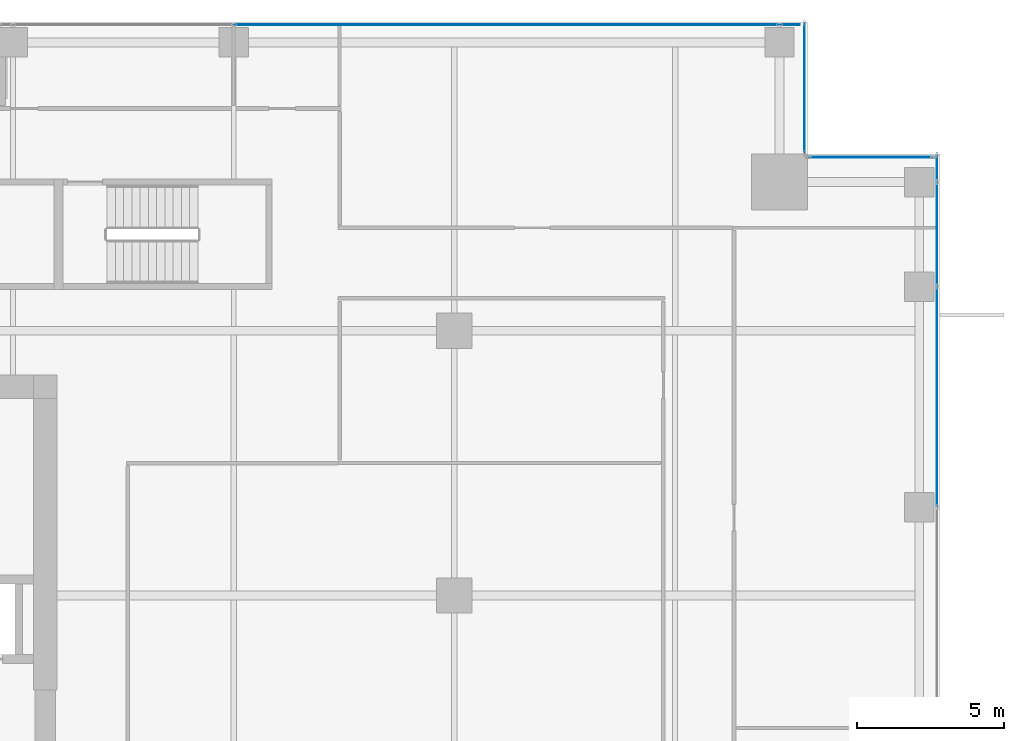
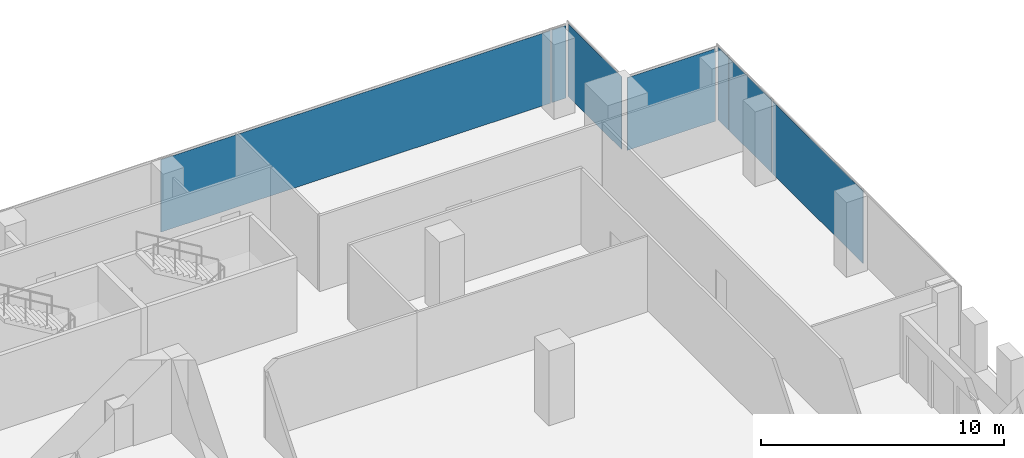
# One storey, part 33 of 40: 7 plates, 4 elements without a shape of their own.
"""IFC4 building model written with IfcOpenShell, lengths in metres."""

from ifc_helpers import new_model, si_unit, direction, frame, origin, origin_2d, place, context, subcontext, project, spatial, rectangle, extrude, source, transform, mapped, material, layer, layer_set, type_object, element, aggregate, save


model = new_model("IFC4")

# Units and contexts
model_context = context("Model", 3, precision=1e-05, world=origin(), true_north=direction((0.0, 1.0)))
body_context = subcontext(model_context, "Body", "Model", "MODEL_VIEW")
ifc_project = project(units=[si_unit("LENGTHUNIT", "METRE"), si_unit("AREAUNIT", "SQUARE_METRE"), si_unit("VOLUMEUNIT", "CUBIC_METRE"), si_unit("PLANEANGLEUNIT", "RADIAN"), si_unit("MASSUNIT", "GRAM", prefix="KILO")], contexts=[model_context])

# Site, building, storey
site_placement = place(None, origin())
site = spatial("IfcSite", under=ifc_project, at=site_placement, CompositionType="ELEMENT")
building_placement = place(site_placement, origin())
building = spatial("IfcBuilding", under=site, at=building_placement, Name="Khomas Fold Tower", CompositionType="ELEMENT")
storey_placement = place(building_placement, frame((0.0, 0.0, 204.699951171875)))
storey = spatial("IfcBuildingStorey", under=building, at=storey_placement, Name="L45", CompositionType="ELEMENT", Elevation=204.699951171875)

# Curtain wall, plate
ifc_material_1 = material(Name="Aluminium framed double glazing", Category="aluminium")
curtain_wall_type = type_object("IfcCurtainWallType", Name="SK-Unitised clear-glass wall, office floors CW2", PredefinedType="NOTDEFINED", material=ifc_material_1)
curtain_wall_1_placement = place(storey_placement, origin())
curtain_wall_1 = element("IfcCurtainWall", 1, at=curtain_wall_1_placement, inside=storey, type_object=curtain_wall_type, Name="CW2 corner return L45 05", PredefinedType="NOTDEFINED")
ifc_material_2 = material(Name="Clear double glazed unit")
ifc_layer = layer(ifc_material_2, 0.030029296875)
ifc_layer_set = layer_set([ifc_layer], Name="Clear double glazed unit")
plate_type = type_object("IfcPlateType", Name="SK-Unitised clear-glass wall, office floors glass panel CW2-P", PredefinedType="CURTAIN_PANEL", material=ifc_layer_set)
shared_shape_1 = source(origin(), body_context, "Body", "SweptSolid", [
    extrude(rectangle(XDim=4.3798828125, YDim=0.030029296875, at=origin_2d()), origin(), (0.0, 0.0, 1.0), 3.639892578125),
])
plate_1_placement = place(storey_placement, frame((46.39990234375, 48.75, 0.0), z_axis=(0.0, 0.0, 1.0), x_axis=(0.0, 1.0, 0.0)))
plate_1 = element("IfcPlate", 2, at=plate_1_placement, type_object=plate_type, Name="CW2 glass panel 1", PredefinedType="CURTAIN_PANEL", context=body_context, shape_type="MappedRepresentation", body=[
    mapped(shared_shape_1, transform((0.0, 0.0, 0.0))),
])
aggregate(curtain_wall_1, [plate_1])

curtain_wall_2_placement = place(storey_placement, origin())
curtain_wall_2 = element("IfcCurtainWall", 3, at=curtain_wall_2_placement, inside=storey, type_object=curtain_wall_type, Name="CW2 run L45 06-0", PredefinedType="NOTDEFINED")
shared_shape_2 = source(origin(), body_context, "Body", "SweptSolid", [
    extrude(rectangle(XDim=0.659912109375, YDim=0.030029296875, at=origin_2d()), origin(), (0.0, 0.0, 1.0), 3.639892578125),
])
plate_2_placement = place(storey_placement, frame((45.909912109375, 50.89990234375, 0.0), z_axis=(0.0, 0.0, 1.0), x_axis=(-1.0, 0.0, 0.0)))
plate_2 = element("IfcPlate", 4, at=plate_2_placement, type_object=plate_type, Name="CW2 glass panel 1", PredefinedType="CURTAIN_PANEL", context=body_context, shape_type="MappedRepresentation", body=[
    mapped(shared_shape_2, transform((0.0, 0.0, 0.0))),
])

# Curtain wall, plates
curtain_wall_3_placement = place(storey_placement, origin())
curtain_wall_3 = element("IfcCurtainWall", 5, at=curtain_wall_3_placement, inside=storey, type_object=curtain_wall_type, Name="CW2 run L45 03-1", PredefinedType="NOTDEFINED")
shared_shape_3 = source(origin(), body_context, "Body", "SweptSolid", [
    extrude(rectangle(XDim=3.489990234375, YDim=0.030029296875, at=origin_2d()), origin(), (0.0, 0.0, 1.0), 3.639892578125),
])
plate_3_placement = place(storey_placement, frame((50.89990234375, 43.77490234375, 0.0), z_axis=(0.0, 0.0, 1.0), x_axis=(0.0, 1.0, 0.0)))
plate_3 = element("IfcPlate", 6, at=plate_3_placement, type_object=plate_type, Name="CW2 glass panel 4", PredefinedType="CURTAIN_PANEL", context=body_context, shape_type="MappedRepresentation", body=[
    mapped(shared_shape_3, transform((0.0, 0.0, 0.0))),
])
shared_shape_4 = source(origin(), body_context, "Body", "SweptSolid", [
    extrude(rectangle(XDim=7.43994140625, YDim=0.030029296875, at=origin_2d()), origin(), (0.0, 0.0, 1.0), 3.639892578125),
])
plate_4_placement = place(storey_placement, frame((50.89990234375, 38.25, 0.0), z_axis=(0.0, 0.0, 1.0), x_axis=(0.0, 1.0, 0.0)))
plate_4 = element("IfcPlate", 7, at=plate_4_placement, type_object=plate_type, Name="CW2 glass panel 3", PredefinedType="CURTAIN_PANEL", context=body_context, shape_type="MappedRepresentation", body=[
    mapped(shared_shape_4, transform((0.0, 0.0, 0.0))),
])

# Curtain wall, plate
curtain_wall_4_placement = place(storey_placement, origin())
curtain_wall_4 = element("IfcCurtainWall", 8, at=curtain_wall_4_placement, inside=storey, type_object=curtain_wall_type, Name="CW2 corner return L45 04", PredefinedType="NOTDEFINED")
shared_shape_5 = source(origin(), body_context, "Body", "SweptSolid", [
    extrude(rectangle(XDim=4.179931640625, YDim=0.030029296875, at=origin_2d()), origin(), (0.0, 0.0, 1.0), 3.639892578125),
])
plate_5_placement = place(storey_placement, frame((48.64990234375, 46.39990234375, 0.0), z_axis=(0.0, 0.0, 1.0), x_axis=(-1.0, 0.0, 0.0)))
plate_5 = element("IfcPlate", 9, at=plate_5_placement, type_object=plate_type, Name="CW2 glass panel 1", PredefinedType="CURTAIN_PANEL", context=body_context, shape_type="MappedRepresentation", body=[
    mapped(shared_shape_5, transform((0.0, 0.0, 0.0))),
])
aggregate(curtain_wall_4, [plate_5])

# Plate
shared_shape_6 = source(origin(), body_context, "Body", "SweptSolid", [
    extrude(rectangle(XDim=0.860107421875, YDim=0.030029296875, at=origin_2d()), origin(), (0.0, 0.0, 1.0), 3.639892578125),
])
plate_6_placement = place(storey_placement, frame((50.89990234375, 46.010009765625, 0.0), z_axis=(0.0, 0.0, 1.0), x_axis=(0.0, 1.0, 0.0)))
plate_6 = element("IfcPlate", 10, at=plate_6_placement, type_object=plate_type, Name="CW2 glass panel 5", PredefinedType="CURTAIN_PANEL", context=body_context, shape_type="MappedRepresentation", body=[
    mapped(shared_shape_6, transform((0.0, 0.0, 0.0))),
])

aggregate(curtain_wall_3, [plate_4, plate_3, plate_6])

shared_shape_7 = source(origin(), body_context, "Body", "SweptSolid", [
    extrude(rectangle(XDim=18.489990234375, YDim=0.030029296875, at=origin_2d()), origin(), (0.0, 0.0, 1.0), 3.639892578125),
])
plate_7_placement = place(storey_placement, frame((36.27490234375, 50.89990234375, 0.0), z_axis=(0.0, 0.0, 1.0), x_axis=(-1.0, 0.0, 0.0)))
plate_7 = element("IfcPlate", 11, at=plate_7_placement, type_object=plate_type, Name="CW2 glass panel 2", PredefinedType="CURTAIN_PANEL", context=body_context, shape_type="MappedRepresentation", body=[
    mapped(shared_shape_7, transform((0.0, 0.0, 0.0))),
])

aggregate(curtain_wall_2, [plate_2, plate_7])

save(model, "model.ifc")
